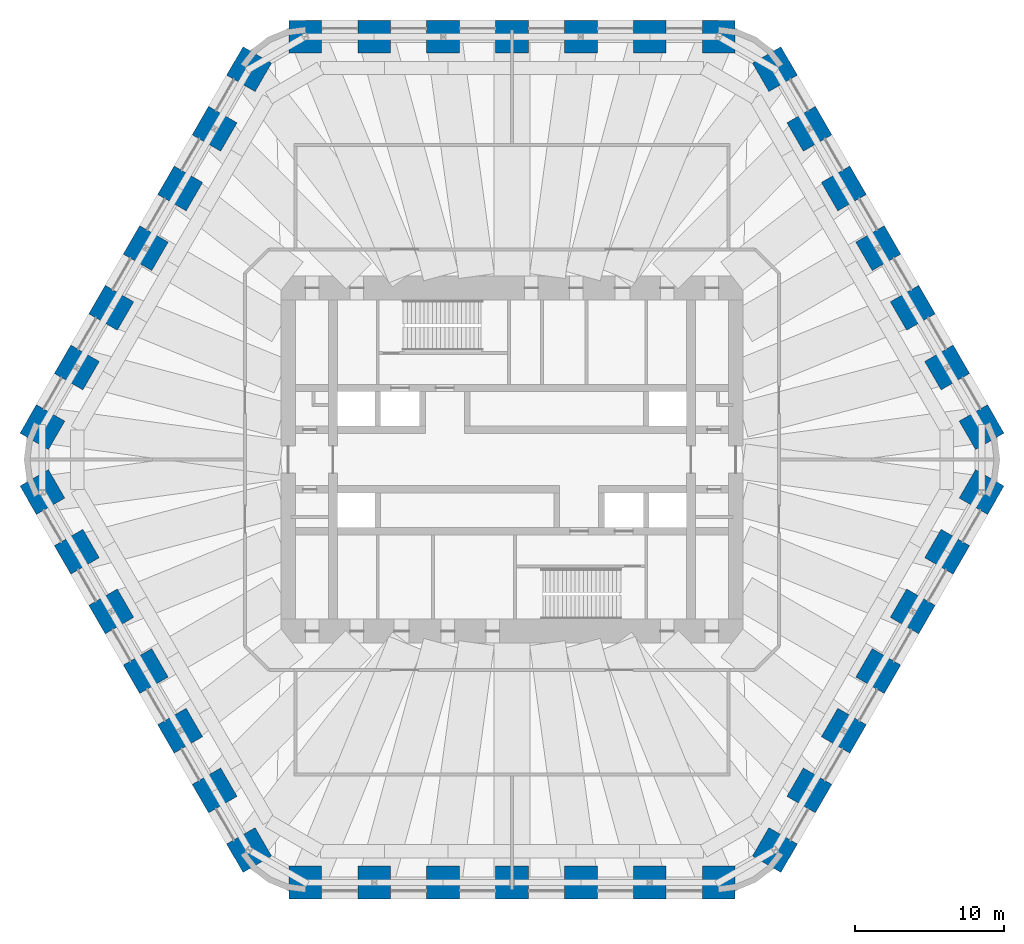
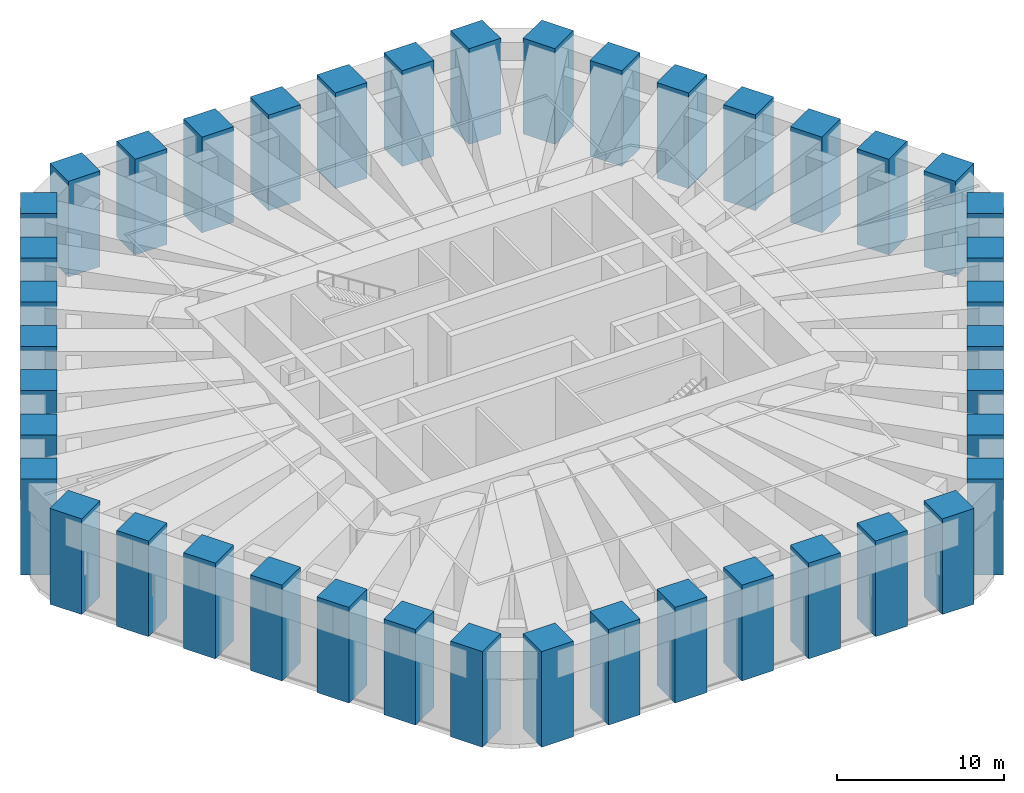
# One storey, part 1 of 14: 42 columns.
"""IFC4 building model written with IfcOpenShell, lengths in metres."""

from ifc_helpers import new_model, si_unit, direction, frame, origin, origin_2d, place, context, subcontext, project, spatial, rectangle, extrude, material, material_profile, profile_set, type_object, element, save


model = new_model("IFC4")

# Units and contexts
model_context = context("Model", 3, precision=1e-05, world=origin(), true_north=direction((0.0, 1.0)))
body_context = subcontext(model_context, "Body", "Model", "MODEL_VIEW")
ifc_project = project(units=[si_unit("LENGTHUNIT", "METRE"), si_unit("AREAUNIT", "SQUARE_METRE"), si_unit("VOLUMEUNIT", "CUBIC_METRE"), si_unit("PLANEANGLEUNIT", "RADIAN"), si_unit("MASSUNIT", "GRAM", prefix="KILO")], contexts=[model_context])

# Site, building, storey
site_placement = place(None, origin())
site = spatial("IfcSite", under=ifc_project, at=site_placement, CompositionType="ELEMENT")
building_placement = place(site_placement, origin())
building = spatial("IfcBuilding", under=site, at=building_placement, Name="Tarfa Lantern Tower", CompositionType="ELEMENT")
storey_placement = place(building_placement, frame((0.0, 0.0, 299.5)))
storey = spatial("IfcBuildingStorey", under=building, at=storey_placement, Name="L68", CompositionType="ELEMENT", Elevation=299.5)

# Columns
ifc_material = material(Name="Concrete C80/95", Category="concrete")
ifc_material_profile = material_profile(ifc_material, rectangle(XDim=2.199951171875, YDim=2.199951171875, at=origin_2d()), Name="RC 2200x2200")
ifc_profile_set = profile_set([ifc_material_profile], Name="Concrete C80/95")
column_type = type_object("IfcColumnType", Name="TT3 RC 2200x2200", PredefinedType="COLUMN", material=ifc_profile_set)
for number, where, z_axis, x_axis, name in (
    (1, (31.47998046875, 2.175048828125, 0.0), (0.0, 0.0, 1.0), (-0.5, 0.866025403784, 0.0), "Tube column NE0"),
    (2, (29.170654296875, 6.175048828125, 0.0), (0.0, 0.0, 1.0), (-0.5, 0.866025403784, 0.0), "Tube column NE1"),
    (3, (26.861328125, 10.175048828125, 0.0), (0.0, 0.0, 1.0), (-0.5, 0.866025403784, 0.0), "Tube column NE2"),
    (4, (24.5517578125, 14.175048828125, 0.0), (0.0, 0.0, 1.0), (-0.5, 0.866025403784, 0.0), "Tube column NE3"),
    (5, (22.242431640625, 18.175048828125, 0.0), (0.0, 0.0, 1.0), (-0.5, 0.866025403784, 0.0), "Tube column NE4"),
    (6, (19.93310546875, 22.175048828125, 0.0), (0.0, 0.0, 1.0), (-0.5, 0.866025403784, 0.0), "Tube column NE5"),
    (7, (17.62353515625, 26.175048828125, 0.0), (0.0, 0.0, 1.0), (-0.5, 0.866025403784, 0.0), "Tube column NE6"),
    (8, (13.8564453125, 28.35009765625, 0.0), (0.0, 0.0, 1.0), (-1.0, 0.0, 0.0), "Tube column N0"),
    (9, (9.237548828125, 28.35009765625, 0.0), (0.0, 0.0, 1.0), (-1.0, 0.0, 0.0), "Tube column N1"),
    (10, (4.618896484375, 28.35009765625, 0.0), (0.0, 0.0, 1.0), (-1.0, 0.0, 0.0), "Tube column N2"),
    (11, (0.0, 28.35009765625, 0.0), (0.0, 0.0, 1.0), (-1.0, 0.0, 0.0), "Tube column N3"),
    (12, (-4.618896484375, 28.35009765625, 0.0), (0.0, 0.0, 1.0), (-1.0, 0.0, 0.0), "Tube column N4"),
    (13, (-9.237548828125, 28.35009765625, 0.0), (0.0, 0.0, 1.0), (-1.0, 0.0, 0.0), "Tube column N5"),
    (14, (-13.8564453125, 28.35009765625, 0.0), (0.0, 0.0, 1.0), (-1.0, 0.0, 0.0), "Tube column N6"),
    (15, (-17.62353515625, 26.175048828125, 0.0), (0.0, 0.0, 1.0), (-0.5, -0.866025403784, 0.0), "Tube column NW0"),
    (16, (-19.93310546875, 22.175048828125, 0.0), (0.0, 0.0, 1.0), (-0.5, -0.866025403784, 0.0), "Tube column NW1"),
    (17, (-22.242431640625, 18.175048828125, 0.0), (0.0, 0.0, 1.0), (-0.5, -0.866025403784, 0.0), "Tube column NW2"),
    (18, (-24.5517578125, 14.175048828125, 0.0), (0.0, 0.0, 1.0), (-0.5, -0.866025403784, 0.0), "Tube column NW3"),
    (19, (-26.861328125, 10.175048828125, 0.0), (0.0, 0.0, 1.0), (-0.5, -0.866025403784, 0.0), "Tube column NW4"),
    (20, (-29.170654296875, 6.175048828125, 0.0), (0.0, 0.0, 1.0), (-0.5, -0.866025403784, 0.0), "Tube column NW5"),
    (21, (-31.47998046875, 2.175048828125, 0.0), (0.0, 0.0, 1.0), (-0.5, -0.866025403784, 0.0), "Tube column NW6"),
    (22, (-31.47998046875, -2.175048828125, 0.0), (0.0, 0.0, 1.0), (0.5, -0.866025403784, 0.0), "Tube column SW0"),
    (23, (-29.170654296875, -6.175048828125, 0.0), (0.0, 0.0, 1.0), (0.5, -0.866025403784, 0.0), "Tube column SW1"),
    (24, (-26.861328125, -10.175048828125, 0.0), (0.0, 0.0, 1.0), (0.5, -0.866025403784, 0.0), "Tube column SW2"),
    (25, (-24.5517578125, -14.175048828125, 0.0), (0.0, 0.0, 1.0), (0.5, -0.866025403784, 0.0), "Tube column SW3"),
    (26, (-22.242431640625, -18.175048828125, 0.0), (0.0, 0.0, 1.0), (0.5, -0.866025403784, 0.0), "Tube column SW4"),
    (27, (-19.93310546875, -22.175048828125, 0.0), (0.0, 0.0, 1.0), (0.5, -0.866025403784, 0.0), "Tube column SW5"),
    (28, (-17.62353515625, -26.175048828125, 0.0), (0.0, 0.0, 1.0), (0.5, -0.866025403784, 0.0), "Tube column SW6"),
    (29, (-13.8564453125, -28.35009765625, 0.0), (0.0, 0.0, 1.0), (1.0, 0.0, 0.0), "Tube column S0"),
    (30, (-9.237548828125, -28.35009765625, 0.0), (0.0, 0.0, 1.0), (1.0, 0.0, 0.0), "Tube column S1"),
    (31, (-4.618896484375, -28.35009765625, 0.0), (0.0, 0.0, 1.0), (1.0, 0.0, 0.0), "Tube column S2"),
    (32, (0.0, -28.35009765625, 0.0), (0.0, 0.0, 1.0), (1.0, 0.0, 0.0), "Tube column S3"),
    (33, (4.618896484375, -28.35009765625, 0.0), (0.0, 0.0, 1.0), (1.0, 0.0, 0.0), "Tube column S4"),
    (34, (9.237548828125, -28.35009765625, 0.0), (0.0, 0.0, 1.0), (1.0, 0.0, 0.0), "Tube column S5"),
    (35, (13.8564453125, -28.35009765625, 0.0), (0.0, 0.0, 1.0), (1.0, 0.0, 0.0), "Tube column S6"),
    (36, (17.62353515625, -26.175048828125, 0.0), (0.0, 0.0, 1.0), (0.5, 0.866025403784, 0.0), "Tube column SE0"),
    (37, (19.93310546875, -22.175048828125, 0.0), (0.0, 0.0, 1.0), (0.5, 0.866025403784, 0.0), "Tube column SE1"),
    (38, (22.242431640625, -18.175048828125, 0.0), (0.0, 0.0, 1.0), (0.5, 0.866025403784, 0.0), "Tube column SE2"),
    (39, (24.5517578125, -14.175048828125, 0.0), (0.0, 0.0, 1.0), (0.5, 0.866025403784, 0.0), "Tube column SE3"),
    (40, (26.861328125, -10.175048828125, 0.0), (0.0, 0.0, 1.0), (0.5, 0.866025403784, 0.0), "Tube column SE4"),
    (41, (29.170654296875, -6.175048828125, 0.0), (0.0, 0.0, 1.0), (0.5, 0.866025403784, 0.0), "Tube column SE5"),
    (42, (31.47998046875, -2.175048828125, 0.0), (0.0, 0.0, 1.0), (0.5, 0.866025403784, 0.0), "Tube column SE6"),
):
    element("IfcColumn", number, at=place(storey_placement, frame(where, z_axis=z_axis, x_axis=x_axis)), inside=storey, type_object=column_type, Name=name, PredefinedType="COLUMN", context=body_context, shape_type="SweptSolid", body=[
        extrude(rectangle(XDim=2.199951171875, YDim=2.199951171875, at=origin_2d()), origin(), (0.0, 0.0, 1.0), 7.0),
    ])

save(model, "model.ifc")
